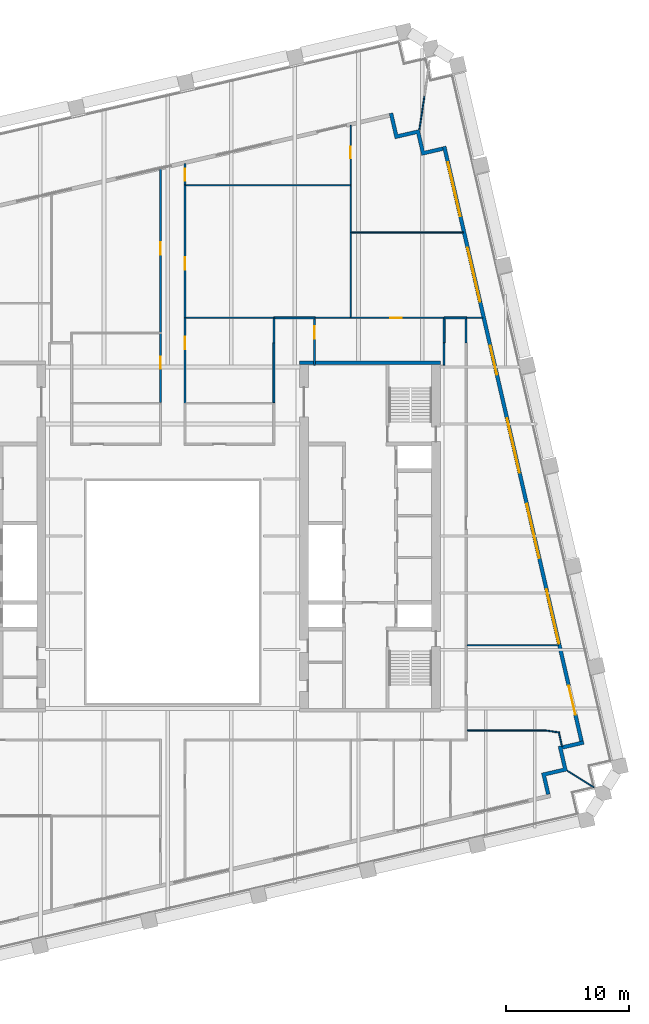
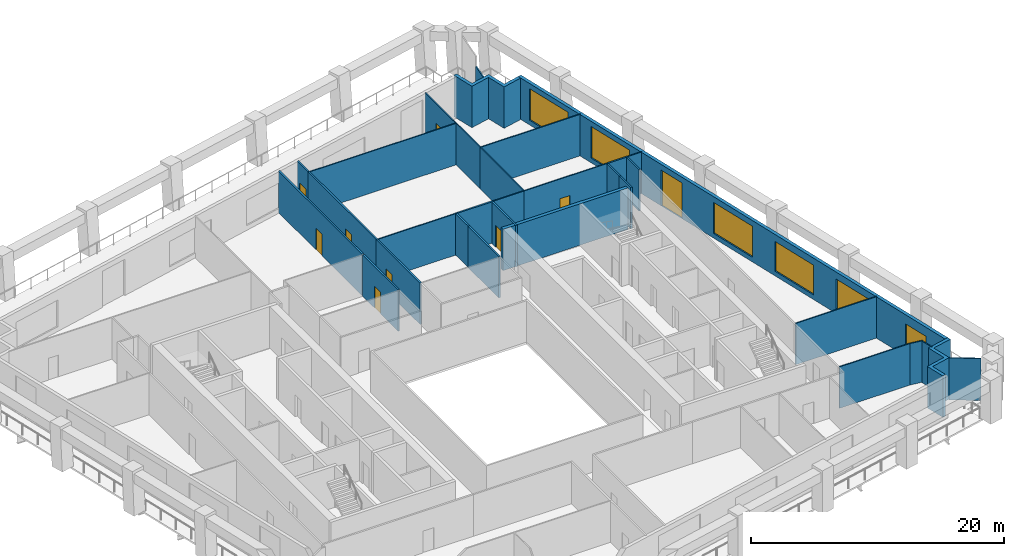
# One storey, part 8 of 11: 32 walls, 10 doors, 5 windows, 15 openings.
"""IFC4 building model written with IfcOpenShell, lengths in metres."""

from ifc_helpers import new_model, si_unit, direction, frame, frame_2d, origin, place, context, subcontext, project, spatial, polyline, rectangle, outline, extrude, material, layer, layer_set, type_object, element, fill, save


model = new_model("IFC4")

# Units and contexts
model_context = context("Model", 3, precision=1e-05, world=origin(), true_north=direction((0.0, 1.0)))
body_context = subcontext(model_context, "Body", "Model", "MODEL_VIEW")
ifc_project = project(units=[si_unit("LENGTHUNIT", "METRE"), si_unit("AREAUNIT", "SQUARE_METRE"), si_unit("VOLUMEUNIT", "CUBIC_METRE"), si_unit("PLANEANGLEUNIT", "RADIAN"), si_unit("MASSUNIT", "GRAM", prefix="KILO")], contexts=[model_context])

# Site, building, storey
site_placement = place(None, origin())
site = spatial("IfcSite", under=ifc_project, at=site_placement, CompositionType="ELEMENT")
building_placement = place(site_placement, origin())
building = spatial("IfcBuilding", under=site, at=building_placement, Name="Ogive Exchange Tower", CompositionType="ELEMENT")
storey_placement = place(building_placement, frame((0.0, 0.0, 209.39990234375)))
storey = spatial("IfcBuildingStorey", under=building, at=storey_placement, Name="L46", CompositionType="ELEMENT", Elevation=209.39990234375)

# Wall, opening, door
ifc_material_1 = material(Name="Fire partition EI 60 150")
ifc_layer_1 = layer(ifc_material_1, 0.14990234375)
ifc_layer_set_1 = layer_set([ifc_layer_1], Name="Fire partition EI 60 150")
wall_type_1 = type_object("IfcWallType", Name="Fire partition EI 60 150", PredefinedType="PARTITIONING", material=ifc_layer_set_1)
wall_1_placement = place(storey_placement, frame((-0.989990234375, 22.360107421875, 0.0), z_axis=(0.0, 0.0, 1.0), x_axis=(0.0, 1.0, 0.0)))
wall_1 = element("IfcWall", 1, at=wall_1_placement, inside=storey, type_object=wall_type_1, Name="L46-PWL-032", PredefinedType="PARTITIONING", context=body_context, shape_type="SweptSolid", body=[
    extrude(rectangle(XDim=5.58984375, YDim=0.14990234375, at=frame_2d((2.794921875, 0.0))), origin(), (0.0, 0.0, 1.0), 4.0),
])
opening_1_placement = place(wall_1_placement, frame((2.739990234375, 0.0, 0.0)))
opening_1 = element("IfcOpeningElement", 2, at=opening_1_placement, cuts=wall_1, Name="Opening L46-I03", PredefinedType="OPENING", context=body_context, shape_type="SweptSolid", body=[
    extrude(rectangle(XDim=1.0, YDim=2.10009765625, at=frame_2d((0.5, 1.050048828125))), frame((0.0, 0.0849609375, 0.0), z_axis=(0.0, -1.0, 0.0), x_axis=(1.0, 0.0, 0.0)), (0.0, 0.0, 1.0), 0.169921875),
])
ifc_material_2 = material(Name="Fire door FD 30S 1000 x 2100")
door_type_1 = type_object("IfcDoorType", Name="Fire door FD 30S 1000 x 2100", OperationType="NOTDEFINED", PredefinedType="DOOR", material=ifc_material_2)
door_1_placement = place(opening_1_placement, origin())
door_1 = element("IfcDoor", 3, at=door_1_placement, inside=storey, type_object=door_type_1, Name="L46-IDR-003", ObjectType="DT3", OperationType="SINGLE_SWING_LEFT", OverallHeight=2.10009765625, OverallWidth=1.0, PredefinedType="DOOR", context=body_context, shape_type="SweptSolid", body=[
    extrude(rectangle(XDim=1.0, YDim=2.10009765625, at=frame_2d((0.5, 1.050048828125))), frame((0.0, 0.02490234375, 0.0), z_axis=(0.0, -1.0, 0.0), x_axis=(1.0, 0.0, 0.0)), (0.0, 0.0, 1.0), 0.050048828125),
])
fill(opening_1, door_1)

wall_2_placement = place(storey_placement, frame((-0.989990234375, 28.050048828125, 0.0), z_axis=(0.0, 0.0, 1.0), x_axis=(0.0, 1.0, 0.0)))
wall_2 = element("IfcWall", 4, at=wall_2_placement, inside=storey, type_object=wall_type_1, Name="L46-PWL-033", PredefinedType="PARTITIONING", context=body_context, shape_type="SweptSolid", body=[
    extrude(rectangle(XDim=13.245849609375, YDim=0.14990234375, at=frame_2d((6.623046875, 0.0))), origin(), (0.0, 0.0, 1.0), 4.0),
])
opening_2_placement = place(wall_2_placement, frame((6.320068359375, 0.0, 0.0)))
opening_2 = element("IfcOpeningElement", 5, at=opening_2_placement, cuts=wall_2, Name="Opening L46-I04", PredefinedType="OPENING", context=body_context, shape_type="SweptSolid", body=[
    extrude(rectangle(XDim=1.0, YDim=2.10009765625, at=frame_2d((0.5, 1.050048828125))), frame((0.0, 0.0849609375, 0.0), z_axis=(0.0, -1.0, 0.0), x_axis=(1.0, 0.0, 0.0)), (0.0, 0.0, 1.0), 0.169921875),
])
door_2_placement = place(opening_2_placement, origin())
door_2 = element("IfcDoor", 6, at=door_2_placement, inside=storey, type_object=door_type_1, Name="L46-IDR-004", ObjectType="DT3", OperationType="SINGLE_SWING_RIGHT", OverallHeight=2.10009765625, OverallWidth=1.0, PredefinedType="DOOR", context=body_context, shape_type="SweptSolid", body=[
    extrude(rectangle(XDim=1.0, YDim=2.10009765625, at=frame_2d((0.5, 1.050048828125))), frame((0.0, 0.02490234375, 0.0), z_axis=(0.0, -1.0, 0.0), x_axis=(1.0, 0.0, 0.0)), (0.0, 0.0, 1.0), 0.050048828125),
])
fill(opening_2, door_2)

wall_3_placement = place(storey_placement, frame((0.989990234375, 29.239990234375, 0.0), z_axis=(0.0, 0.0, 1.0), x_axis=(0.0, -1.0, 0.0)))
wall_3 = element("IfcWall", 7, at=wall_3_placement, inside=storey, type_object=wall_type_1, Name="L46-PWL-038", PredefinedType="PARTITIONING", context=body_context, shape_type="SweptSolid", body=[
    extrude(rectangle(XDim=6.929931640625, YDim=0.14990234375, at=frame_2d((3.46484375, 0.0))), origin(), (0.0, 0.0, 1.0), 4.0),
])
opening_3_placement = place(wall_3_placement, frame((1.530029296875, 0.0, 0.0)))
opening_3 = element("IfcOpeningElement", 8, at=opening_3_placement, cuts=wall_3, Name="Opening L46-I19", PredefinedType="OPENING", context=body_context, shape_type="SweptSolid", body=[
    extrude(rectangle(XDim=1.0, YDim=2.10009765625, at=frame_2d((0.5, 1.050048828125))), frame((0.0, 0.0849609375, 0.0), z_axis=(0.0, -1.0, 0.0), x_axis=(1.0, 0.0, 0.0)), (0.0, 0.0, 1.0), 0.169921875),
])
door_3_placement = place(opening_3_placement, origin())
door_3 = element("IfcDoor", 9, at=door_3_placement, inside=storey, type_object=door_type_1, Name="L46-IDR-019", ObjectType="DT3", OperationType="SINGLE_SWING_RIGHT", OverallHeight=2.10009765625, OverallWidth=1.0, PredefinedType="DOOR", context=body_context, shape_type="SweptSolid", body=[
    extrude(rectangle(XDim=1.0, YDim=2.10009765625, at=frame_2d((0.5, 1.050048828125))), frame((0.0, 0.02490234375, 0.0), z_axis=(0.0, -1.0, 0.0), x_axis=(1.0, 0.0, 0.0)), (0.0, 0.0, 1.0), 0.050048828125),
])
fill(opening_3, door_3)

wall_4_placement = place(storey_placement, frame((0.989990234375, 40.050048828125, 0.0), z_axis=(0.0, 0.0, 1.0), x_axis=(0.0, -1.0, 0.0)))
wall_4 = element("IfcWall", 10, at=wall_4_placement, inside=storey, type_object=wall_type_1, Name="L46-PWL-040", PredefinedType="PARTITIONING", context=body_context, shape_type="SweptSolid", body=[
    extrude(rectangle(XDim=10.81005859375, YDim=0.14990234375, at=frame_2d((5.405029296875, 0.0))), origin(), (0.0, 0.0, 1.0), 4.0),
])
opening_4_placement = place(wall_4_placement, frame((5.909912109375, 0.0, 0.0)))
opening_4 = element("IfcOpeningElement", 11, at=opening_4_placement, cuts=wall_4, Name="Opening L46-I22", PredefinedType="OPENING", context=body_context, shape_type="SweptSolid", body=[
    extrude(rectangle(XDim=1.0, YDim=2.10009765625, at=frame_2d((0.5, 1.050048828125))), frame((0.0, 0.0849609375, 0.0), z_axis=(0.0, -1.0, 0.0), x_axis=(1.0, 0.0, 0.0)), (0.0, 0.0, 1.0), 0.169921875),
])
door_4_placement = place(opening_4_placement, origin())
door_4 = element("IfcDoor", 12, at=door_4_placement, inside=storey, type_object=door_type_1, Name="L46-IDR-022", ObjectType="DT3", OperationType="SINGLE_SWING_LEFT", OverallHeight=2.10009765625, OverallWidth=1.0, PredefinedType="DOOR", context=body_context, shape_type="SweptSolid", body=[
    extrude(rectangle(XDim=1.0, YDim=2.10009765625, at=frame_2d((0.5, 1.050048828125))), frame((0.0, 0.02490234375, 0.0), z_axis=(0.0, -1.0, 0.0), x_axis=(1.0, 0.0, 0.0)), (0.0, 0.0, 1.0), 0.050048828125),
])
fill(opening_4, door_4)

wall_5_placement = place(storey_placement, frame((0.989990234375, 41.7529296875, 0.0), z_axis=(0.0, 0.0, 1.0), x_axis=(0.0, -1.0, 0.0)))
wall_5 = element("IfcWall", 13, at=wall_5_placement, inside=storey, type_object=wall_type_1, Name="L46-PWL-041", PredefinedType="PARTITIONING", context=body_context, shape_type="SweptSolid", body=[
    extrude(rectangle(XDim=1.702880859375, YDim=0.14990234375, at=frame_2d((0.8515625, 0.0))), origin(), (0.0, 0.0, 1.0), 4.0),
])
opening_5_placement = place(wall_5_placement, frame((0.403076171875, 0.0, 0.0)))
opening_5 = element("IfcOpeningElement", 14, at=opening_5_placement, cuts=wall_5, Name="Opening L46-I21", PredefinedType="OPENING", context=body_context, shape_type="SweptSolid", body=[
    extrude(rectangle(XDim=1.0, YDim=2.10009765625, at=frame_2d((0.5, 1.050048828125))), frame((0.0, 0.0849609375, 0.0), z_axis=(0.0, -1.0, 0.0), x_axis=(1.0, 0.0, 0.0)), (0.0, 0.0, 1.0), 0.169921875),
])
door_5_placement = place(opening_5_placement, origin())
door_5 = element("IfcDoor", 15, at=door_5_placement, inside=storey, type_object=door_type_1, Name="L46-IDR-021", ObjectType="DT3", OperationType="SINGLE_SWING_LEFT", OverallHeight=2.10009765625, OverallWidth=1.0, PredefinedType="DOOR", context=body_context, shape_type="SweptSolid", body=[
    extrude(rectangle(XDim=1.0, YDim=2.10009765625, at=frame_2d((0.5, 1.050048828125))), frame((0.0, 0.02490234375, 0.0), z_axis=(0.0, -1.0, 0.0), x_axis=(1.0, 0.0, 0.0)), (0.0, 0.0, 1.0), 0.050048828125),
])
fill(opening_5, door_5)

# Walls
wall_6_placement = place(storey_placement, frame((8.199951171875, 22.360107421875, 0.0), z_axis=(0.0, 0.0, 1.0), x_axis=(0.0, 1.0, 0.0)))
element("IfcWall", 16, at=wall_6_placement, inside=storey, type_object=wall_type_1, Name="L46-PWL-043", PredefinedType="PARTITIONING", context=body_context, shape_type="SweptSolid", body=[
    extrude(rectangle(XDim=4.83984375, YDim=0.14990234375, at=frame_2d((2.419921875, 0.0))), origin(), (0.0, 0.0, 1.0), 4.0),
])
wall_7_placement = place(storey_placement, frame((8.2099609375, 27.199951171875, 0.0), z_axis=(0.0, 0.0, 1.0), x_axis=(0.0, 1.0, 0.0)))
element("IfcWall", 17, at=wall_7_placement, inside=storey, type_object=wall_type_1, Name="L46-PWL-044", PredefinedType="PARTITIONING", context=body_context, shape_type="SweptSolid", body=[
    extrude(rectangle(XDim=1.989990234375, YDim=0.14990234375, at=frame_2d((0.9951171875, 0.0))), origin(), (0.0, 0.0, 1.0), 4.0),
])
wall_8_placement = place(storey_placement, frame((8.2099609375, 29.239990234375, 0.0), z_axis=(0.0, 0.0, 1.0), x_axis=(1.0, 0.0, 0.0)))
element("IfcWall", 18, at=wall_8_placement, inside=storey, type_object=wall_type_1, Name="L46-PWL-045", PredefinedType="PARTITIONING", context=body_context, shape_type="SweptSolid", body=[
    extrude(rectangle(XDim=3.364990234375, YDim=0.14990234375, at=frame_2d((1.6826171875, 0.0))), origin(), (0.0, 0.0, 1.0), 4.0),
])

# Wall, opening, door
wall_9_placement = place(storey_placement, frame((11.5, 29.1650390625, 0.0), z_axis=(0.0, 0.0, 1.0), x_axis=(0.0, -1.0, 0.0)))
wall_9 = element("IfcWall", 19, at=wall_9_placement, inside=storey, type_object=wall_type_1, Name="L46-PWL-047", PredefinedType="PARTITIONING", context=body_context, shape_type="SweptSolid", body=[
    extrude(rectangle(XDim=3.76513671875, YDim=0.14990234375, at=frame_2d((1.882568359375, 0.0))), origin(), (0.0, 0.0, 1.0), 4.0),
])
opening_6_placement = place(wall_9_placement, frame((0.614990234375, 0.0, 0.0)))
opening_6 = element("IfcOpeningElement", 20, at=opening_6_placement, cuts=wall_9, Name="Opening L46-I20", PredefinedType="OPENING", context=body_context, shape_type="SweptSolid", body=[
    extrude(rectangle(XDim=1.0, YDim=2.10009765625, at=frame_2d((0.5, 1.050048828125))), frame((0.0, 0.0849609375, 0.0), z_axis=(0.0, -1.0, 0.0), x_axis=(1.0, 0.0, 0.0)), (0.0, 0.0, 1.0), 0.169921875),
])
door_6_placement = place(opening_6_placement, origin())
door_6 = element("IfcDoor", 21, at=door_6_placement, inside=storey, type_object=door_type_1, Name="L46-IDR-020", ObjectType="DT3", OperationType="SINGLE_SWING_RIGHT", OverallHeight=2.10009765625, OverallWidth=1.0, PredefinedType="DOOR", context=body_context, shape_type="SweptSolid", body=[
    extrude(rectangle(XDim=1.0, YDim=2.10009765625, at=frame_2d((0.5, 1.050048828125))), frame((0.0, 0.02490234375, 0.0), z_axis=(0.0, -1.0, 0.0), x_axis=(1.0, 0.0, 0.0)), (0.0, 0.0, 1.0), 0.050048828125),
])
fill(opening_6, door_6)

# Walls
wall_10_placement = place(storey_placement, frame((22.0, 25.39990234375, 0.0), z_axis=(0.0, 0.0, 1.0), x_axis=(0.0, 1.0, 0.0)))
element("IfcWall", 22, at=wall_10_placement, inside=storey, type_object=wall_type_1, Name="L46-PWL-059", PredefinedType="PARTITIONING", context=body_context, shape_type="SweptSolid", body=[
    extrude(rectangle(XDim=1.800048828125, YDim=0.14990234375, at=frame_2d((0.89990234375, 0.0))), origin(), (0.0, 0.0, 1.0), 4.0),
])
wall_11_placement = place(storey_placement, frame((22.010009765625, 27.199951171875, 0.0), z_axis=(0.0, 0.0, 1.0), x_axis=(0.0, 1.0, 0.0)))
element("IfcWall", 23, at=wall_11_placement, inside=storey, type_object=wall_type_1, Name="L46-PWL-060", PredefinedType="PARTITIONING", context=body_context, shape_type="SweptSolid", body=[
    extrude(rectangle(XDim=1.989990234375, YDim=0.14990234375, at=frame_2d((0.9951171875, 0.0))), origin(), (0.0, 0.0, 1.0), 4.0),
])
wall_12_placement = place(storey_placement, frame((22.010009765625, 29.239990234375, 0.0), z_axis=(0.0, 0.0, 1.0), x_axis=(1.0, 0.0, 0.0)))
element("IfcWall", 24, at=wall_12_placement, inside=storey, type_object=wall_type_1, Name="L46-PWL-061", PredefinedType="PARTITIONING", context=body_context, shape_type="SweptSolid", body=[
    extrude(rectangle(XDim=1.85498046875, YDim=0.14990234375, at=frame_2d((0.927490234375, 0.0))), origin(), (0.0, 0.0, 1.0), 4.0),
])
wall_13_placement = place(storey_placement, frame((23.7900390625, 29.1650390625, 0.0), z_axis=(0.0, 0.0, 1.0), x_axis=(0.0, -1.0, 0.0)))
element("IfcWall", 25, at=wall_13_placement, inside=storey, type_object=wall_type_1, Name="L46-PWL-064", PredefinedType="PARTITIONING", context=body_context, shape_type="SweptSolid", body=[
    extrude(rectangle(XDim=1.965087890625, YDim=0.14990234375, at=frame_2d((0.982421875, 0.0))), origin(), (0.0, 0.0, 1.0), 4.0),
])

# Wall, openings, doors, windows
ifc_material_3 = material(Name="Precast concrete C40/50", Category="concrete")
ifc_layer_2 = layer(ifc_material_3, 0.300048828125)
ifc_layer_set_2 = layer_set([ifc_layer_2], Name="Limestone-faced wall 300")
wall_type_2 = type_object("IfcWallType", Name="Limestone-faced wall 300", PredefinedType="STANDARD", material=ifc_layer_set_2)
wall_14_placement = place(storey_placement, frame((33.1572265625, -5.092041015625, 0.0), z_axis=(0.0, 0.0, 1.0), x_axis=(-0.224950279389, 0.974370243697, 0.0)))
wall_14 = element("IfcWall", 26, at=wall_14_placement, inside=storey, type_object=wall_type_2, Name="External wall E2", PredefinedType="STANDARD", context=body_context, shape_type="SweptSolid", body=[
    extrude(rectangle(XDim=49.499755859375, YDim=0.300048828125, at=frame_2d((24.75, 0.0))), origin(), (0.0, 0.0, 1.0), 4.0),
])
opening_7_placement = place(wall_14_placement, frame((2.20703125, 0.0, 0.0)))
opening_7 = element("IfcOpeningElement", 27, at=opening_7_placement, cuts=wall_14, Name="Opening D1J", PredefinedType="OPENING", context=body_context, shape_type="SweptSolid", body=[
    extrude(rectangle(XDim=2.39990234375, YDim=3.125, at=frame_2d((1.199951171875, 1.5625))), frame((0.0, 0.159912109375, 0.0), z_axis=(0.0, -1.0, 0.0), x_axis=(1.0, 0.0, 0.0)), (0.0, 0.0, 1.0), 0.320068359375),
])
opening_8_placement = place(wall_14_placement, frame((8.121337890625, 0.0, 0.449951171875)))
opening_8 = element("IfcOpeningElement", 28, at=opening_8_placement, cuts=wall_14, Name="Opening W1D", PredefinedType="OPENING", context=body_context, shape_type="SweptSolid", body=[
    extrude(rectangle(XDim=4.5, YDim=2.875, at=frame_2d((2.25, 1.4375))), frame((0.0, 0.159912109375, 0.0), z_axis=(0.0, -1.0, 0.0), x_axis=(1.0, 0.0, 0.0)), (0.0, 0.0, 1.0), 0.320068359375),
])
opening_9_placement = place(wall_14_placement, frame((15.235595703125, 0.0, 0.449951171875)))
opening_9 = element("IfcOpeningElement", 29, at=opening_9_placement, cuts=wall_14, Name="Opening W1D", PredefinedType="OPENING", context=body_context, shape_type="SweptSolid", body=[
    extrude(rectangle(XDim=4.5, YDim=2.875, at=frame_2d((2.25, 1.4375))), frame((0.0, 0.159912109375, 0.0), z_axis=(0.0, -1.0, 0.0), x_axis=(1.0, 0.0, 0.0)), (0.0, 0.0, 1.0), 0.320068359375),
])
opening_10_placement = place(wall_14_placement, frame((22.35009765625, 0.0, 0.449951171875)))
opening_10 = element("IfcOpeningElement", 30, at=opening_10_placement, cuts=wall_14, Name="Opening W1A", PredefinedType="OPENING", context=body_context, shape_type="SweptSolid", body=[
    extrude(rectangle(XDim=4.5, YDim=3.0, at=frame_2d((2.25, 1.5))), frame((0.0, 0.159912109375, 0.0), z_axis=(0.0, -1.0, 0.0), x_axis=(1.0, 0.0, 0.0)), (0.0, 0.0, 1.0), 0.320068359375),
])
opening_11_placement = place(wall_14_placement, frame((30.51416015625, 0.0, 0.0)))
opening_11 = element("IfcOpeningElement", 31, at=opening_11_placement, cuts=wall_14, Name="Opening D1A", PredefinedType="OPENING", context=body_context, shape_type="SweptSolid", body=[
    extrude(rectangle(XDim=2.39990234375, YDim=3.449951171875, at=frame_2d((1.199951171875, 1.72509765625))), frame((0.0, 0.159912109375, 0.0), z_axis=(0.0, -1.0, 0.0), x_axis=(1.0, 0.0, 0.0)), (0.0, 0.0, 1.0), 0.320068359375),
])
opening_12_placement = place(wall_14_placement, frame((36.57861328125, 0.0, 0.449951171875)))
opening_12 = element("IfcOpeningElement", 32, at=opening_12_placement, cuts=wall_14, Name="Opening W1", PredefinedType="OPENING", context=body_context, shape_type="SweptSolid", body=[
    extrude(rectangle(XDim=4.5, YDim=3.050048828125, at=frame_2d((2.25, 1.52490234375))), frame((0.0, 0.159912109375, 0.0), z_axis=(0.0, -1.0, 0.0), x_axis=(1.0, 0.0, 0.0)), (0.0, 0.0, 1.0), 0.320068359375),
])
opening_13_placement = place(wall_14_placement, frame((43.69287109375, 0.0, 0.449951171875)))
opening_13 = element("IfcOpeningElement", 33, at=opening_13_placement, cuts=wall_14, Name="Opening W1", PredefinedType="OPENING", context=body_context, shape_type="SweptSolid", body=[
    extrude(rectangle(XDim=4.5, YDim=3.050048828125, at=frame_2d((2.25, 1.52490234375))), frame((0.0, 0.159912109375, 0.0), z_axis=(0.0, -1.0, 0.0), x_axis=(1.0, 0.0, 0.0)), (0.0, 0.0, 1.0), 0.320068359375),
])
ifc_material_4 = material(Name="Clear glass in bronze frame", Category="glass")
door_type_2 = type_object("IfcDoorType", Name="Sliding loggia door 2400 x 3125", OperationType="DOUBLE_DOOR_SLIDING", PredefinedType="DOOR", material=ifc_material_4)
door_7_placement = place(opening_7_placement, origin())
door_7 = element("IfcDoor", 34, at=door_7_placement, inside=storey, type_object=door_type_2, Name="Loggia door E00", OperationType="DOUBLE_DOOR_SLIDING", OverallHeight=3.125, OverallWidth=2.39990234375, PredefinedType="DOOR", context=body_context, shape_type="SweptSolid", body=[
    extrude(rectangle(XDim=2.39990234375, YDim=3.125, at=frame_2d((1.199951171875, 1.5625))), frame((0.0, 0.02490234375, 0.0), z_axis=(0.0, -1.0, 0.0), x_axis=(1.0, 0.0, 0.0)), (0.0, 0.0, 1.0), 0.050048828125),
])
fill(opening_7, door_7)
door_type_3 = type_object("IfcDoorType", Name="Sliding loggia door 2400 x 3450", OperationType="DOUBLE_DOOR_SLIDING", PredefinedType="DOOR", material=ifc_material_4)
door_8_placement = place(opening_11_placement, origin())
door_8 = element("IfcDoor", 35, at=door_8_placement, inside=storey, type_object=door_type_3, Name="Loggia door E04", OperationType="DOUBLE_DOOR_SLIDING", OverallHeight=3.449951171875, OverallWidth=2.39990234375, PredefinedType="DOOR", context=body_context, shape_type="SweptSolid", body=[
    extrude(rectangle(XDim=2.39990234375, YDim=3.449951171875, at=frame_2d((1.199951171875, 1.72509765625))), frame((0.0, 0.02490234375, 0.0), z_axis=(0.0, -1.0, 0.0), x_axis=(1.0, 0.0, 0.0)), (0.0, 0.0, 1.0), 0.050048828125),
])
fill(opening_11, door_8)
window_type_1 = type_object("IfcWindowType", Name="Twin lancet window 4500 x 2875", PartitioningType="DOUBLE_PANEL_VERTICAL", PredefinedType="WINDOW", material=ifc_material_4)
window_1_placement = place(opening_8_placement, origin())
window_1 = element("IfcWindow", 36, at=window_1_placement, inside=storey, type_object=window_type_1, Name="Window E01", OverallHeight=2.875, OverallWidth=4.5, PartitioningType="DOUBLE_PANEL_VERTICAL", PredefinedType="WINDOW", context=body_context, shape_type="SweptSolid", body=[
    extrude(rectangle(XDim=4.5, YDim=2.875, at=frame_2d((2.25, 1.4375))), frame((0.0, 0.030029296875, 0.0), z_axis=(0.0, -1.0, 0.0), x_axis=(1.0, 0.0, 0.0)), (0.0, 0.0, 1.0), 0.06005859375),
])
fill(opening_8, window_1)
window_2_placement = place(opening_9_placement, origin())
window_2 = element("IfcWindow", 37, at=window_2_placement, inside=storey, type_object=window_type_1, Name="Window E02", OverallHeight=2.875, OverallWidth=4.5, PartitioningType="DOUBLE_PANEL_VERTICAL", PredefinedType="WINDOW", context=body_context, shape_type="SweptSolid", body=[
    extrude(rectangle(XDim=4.5, YDim=2.875, at=frame_2d((2.25, 1.4375))), frame((0.0, 0.030029296875, 0.0), z_axis=(0.0, -1.0, 0.0), x_axis=(1.0, 0.0, 0.0)), (0.0, 0.0, 1.0), 0.06005859375),
])
fill(opening_9, window_2)
window_type_2 = type_object("IfcWindowType", Name="Twin lancet window 4500 x 3000", PartitioningType="DOUBLE_PANEL_VERTICAL", PredefinedType="WINDOW", material=ifc_material_4)
window_3_placement = place(opening_10_placement, origin())
window_3 = element("IfcWindow", 38, at=window_3_placement, inside=storey, type_object=window_type_2, Name="Window E03", OverallHeight=3.0, OverallWidth=4.5, PartitioningType="DOUBLE_PANEL_VERTICAL", PredefinedType="WINDOW", context=body_context, shape_type="SweptSolid", body=[
    extrude(rectangle(XDim=4.5, YDim=3.0, at=frame_2d((2.25, 1.5))), frame((0.0, 0.030029296875, 0.0), z_axis=(0.0, -1.0, 0.0), x_axis=(1.0, 0.0, 0.0)), (0.0, 0.0, 1.0), 0.06005859375),
])
fill(opening_10, window_3)
window_type_3 = type_object("IfcWindowType", Name="Twin lancet window 4500 x 3050", PartitioningType="DOUBLE_PANEL_VERTICAL", PredefinedType="WINDOW", material=ifc_material_4)
window_4_placement = place(opening_12_placement, origin())
window_4 = element("IfcWindow", 39, at=window_4_placement, inside=storey, type_object=window_type_3, Name="Window E05", OverallHeight=3.050048828125, OverallWidth=4.5, PartitioningType="DOUBLE_PANEL_VERTICAL", PredefinedType="WINDOW", context=body_context, shape_type="SweptSolid", body=[
    extrude(rectangle(XDim=4.5, YDim=3.050048828125, at=frame_2d((2.25, 1.52490234375))), frame((0.0, 0.030029296875, 0.0), z_axis=(0.0, -1.0, 0.0), x_axis=(1.0, 0.0, 0.0)), (0.0, 0.0, 1.0), 0.06005859375),
])
fill(opening_12, window_4)
window_5_placement = place(opening_13_placement, origin())
window_5 = element("IfcWindow", 40, at=window_5_placement, inside=storey, type_object=window_type_3, Name="Window E06", OverallHeight=3.050048828125, OverallWidth=4.5, PartitioningType="DOUBLE_PANEL_VERTICAL", PredefinedType="WINDOW", context=body_context, shape_type="SweptSolid", body=[
    extrude(rectangle(XDim=4.5, YDim=3.050048828125, at=frame_2d((2.25, 1.52490234375))), frame((0.0, 0.030029296875, 0.0), z_axis=(0.0, -1.0, 0.0), x_axis=(1.0, 0.0, 0.0)), (0.0, 0.0, 1.0), 0.06005859375),
])
fill(opening_13, window_5)

# Walls
wall_15_placement = place(storey_placement, origin())
element("IfcWall", 41, at=wall_15_placement, inside=storey, type_object=wall_type_2, Name="External corner wall C1", PredefinedType="STANDARD", context=body_context, shape_type="SweptSolid", body=[
    extrude(outline(polyline([(31.662109375, -7.28466796875), (31.257080078125, -5.53076171875), (33.30322265625, -5.058349609375), (33.370849609375, -5.3505859375), (31.616943359375, -5.755615234375), (32.02197265625, -7.509521484375), (30.26806640625, -7.914306640625), (30.60546875, -9.3759765625), (30.31298828125, -9.443359375), (29.908203125, -7.689697265625), (31.662109375, -7.28466796875)])), origin(), (0.0, 0.0, 1.0), 4.0),
])
wall_16_placement = place(storey_placement, origin())
element("IfcWall", 42, at=wall_16_placement, inside=storey, type_object=wall_type_2, Name="External corner wall C2", PredefinedType="STANDARD", context=body_context, shape_type="SweptSolid", body=[
    extrude(outline(polyline([(19.78466796875, 44.162109375), (18.03076171875, 43.757080078125), (17.558349609375, 45.80322265625), (17.8505859375, 45.870849609375), (18.255615234375, 44.116943359375), (20.009521484375, 44.52197265625), (20.414306640625, 42.76806640625), (21.8759765625, 43.10546875), (21.943359375, 42.81298828125), (20.189697265625, 42.408203125), (19.78466796875, 44.162109375)])), origin(), (0.0, 0.0, 1.0), 4.0),
])
ifc_material_5 = material(Name="Laminated safety glass in steel frame", Category="steel")
ifc_layer_3 = layer(ifc_material_5, 0.10009765625)
ifc_layer_set_3 = layer_set([ifc_layer_3], Name="Loggia end screen 100")
wall_type_3 = type_object("IfcWallType", Name="Loggia end screen 100", PredefinedType="STANDARD", material=ifc_layer_set_3)
wall_17_placement = place(storey_placement, frame((32.02197265625, -7.509521484375, -0.0498046875), z_axis=(0.0, 0.0, 1.0), x_axis=(0.848047176257, -0.529920736377, 0.0)))
element("IfcWall", 43, at=wall_17_placement, inside=storey, type_object=wall_type_3, Name="Loggia end screen C1", PredefinedType="STANDARD", context=body_context, shape_type="SweptSolid", body=[
    extrude(rectangle(XDim=2.525634765625, YDim=0.10009765625, at=frame_2d((1.2626953125, 0.0))), origin(), (0.0, 0.0, 1.0), 4.0498046875),
])
wall_18_placement = place(storey_placement, frame((20.009521484375, 44.52197265625, -0.0498046875), z_axis=(0.0, 0.0, 1.0), x_axis=(0.148468674811, 0.988917111087, 0.0)))
element("IfcWall", 44, at=wall_18_placement, inside=storey, type_object=wall_type_3, Name="Loggia end screen C2", PredefinedType="STANDARD", context=body_context, shape_type="SweptSolid", body=[
    extrude(rectangle(XDim=2.7001953125, YDim=0.10009765625, at=frame_2d((1.35009765625, 0.0))), origin(), (0.0, 0.0, 1.0), 3.06982421875),
])
ifc_material_6 = material(Name="Partition 100 gypsum")
ifc_layer_4 = layer(ifc_material_6, 0.10009765625)
ifc_layer_set_4 = layer_set([ifc_layer_4], Name="Partition 100 gypsum")
wall_type_4 = type_object("IfcWallType", Name="Partition 100 gypsum", PredefinedType="PARTITIONING", material=ifc_layer_set_4)
wall_19_placement = place(storey_placement, frame((1.06494140625, 29.239990234375, 0.0), z_axis=(0.0, 0.0, 1.0), x_axis=(1.0, 0.0, 0.0)))
element("IfcWall", 45, at=wall_19_placement, inside=storey, type_object=wall_type_4, Name="L46-PWL-039", PredefinedType="PARTITIONING", context=body_context, shape_type="SweptSolid", body=[
    extrude(rectangle(XDim=7.14501953125, YDim=0.10009765625, at=frame_2d((3.572509765625, 0.0))), origin(), (0.0, 0.0, 1.0), 4.0),
])
wall_20_placement = place(storey_placement, frame((11.574951171875, 29.239990234375, 0.0), z_axis=(0.0, 0.0, 1.0), x_axis=(1.0, 0.0, 0.0)))
element("IfcWall", 46, at=wall_20_placement, inside=storey, type_object=wall_type_4, Name="L46-PWL-048", PredefinedType="PARTITIONING", context=body_context, shape_type="SweptSolid", body=[
    extrude(rectangle(XDim=2.804931640625, YDim=0.10009765625, at=frame_2d((1.40234375, 0.0))), origin(), (0.0, 0.0, 1.0), 4.0),
])

# Wall, opening, door
wall_21_placement = place(storey_placement, frame((14.3798828125, 29.239990234375, 0.0), z_axis=(0.0, 0.0, 1.0), x_axis=(1.0, 0.0, 0.0)))
wall_21 = element("IfcWall", 47, at=wall_21_placement, inside=storey, type_object=wall_type_4, Name="L46-PWL-051", PredefinedType="PARTITIONING", context=body_context, shape_type="SweptSolid", body=[
    extrude(rectangle(XDim=7.630126953125, YDim=0.10009765625, at=frame_2d((3.81494140625, 0.0))), origin(), (0.0, 0.0, 1.0), 4.0),
])
opening_14_placement = place(wall_21_placement, frame((3.280029296875, 0.0, 0.0)))
opening_14 = element("IfcOpeningElement", 48, at=opening_14_placement, cuts=wall_21, Name="Opening L46-I23", PredefinedType="OPENING", context=body_context, shape_type="SweptSolid", body=[
    extrude(rectangle(XDim=0.89990234375, YDim=2.10009765625, at=frame_2d((0.449951171875, 1.050048828125))), frame((0.0, 0.06005859375, 0.0), z_axis=(0.0, -1.0, 0.0), x_axis=(1.0, 0.0, 0.0)), (0.0, 0.0, 1.0), 0.1201171875),
])
ifc_material_7 = material(Name="Door 900 x 2100")
door_type_4 = type_object("IfcDoorType", Name="Door 900 x 2100", OperationType="NOTDEFINED", PredefinedType="DOOR", material=ifc_material_7)
door_9_placement = place(opening_14_placement, frame((0.89990234375, 0.0, 0.0), z_axis=(0.0, 0.0, 1.0), x_axis=(-1.0, 0.0, 0.0)))
door_9 = element("IfcDoor", 49, at=door_9_placement, inside=storey, type_object=door_type_4, Name="L46-IDR-023", ObjectType="DT1", OperationType="SINGLE_SWING_RIGHT", OverallHeight=2.10009765625, OverallWidth=0.89990234375, PredefinedType="DOOR", context=body_context, shape_type="SweptSolid", body=[
    extrude(rectangle(XDim=0.89990234375, YDim=2.10009765625, at=frame_2d((0.449951171875, 1.050048828125))), frame((0.0, 0.02490234375, 0.0), z_axis=(0.0, -1.0, 0.0), x_axis=(1.0, 0.0, 0.0)), (0.0, 0.0, 1.0), 0.050048828125),
])
fill(opening_14, door_9)

# Walls
wall_22_placement = place(storey_placement, frame((14.429931640625, 36.219970703125, 0.0), z_axis=(0.0, 0.0, 1.0), x_axis=(0.0, -1.0, 0.0)))
element("IfcWall", 50, at=wall_22_placement, inside=storey, type_object=wall_type_4, Name="L46-PWL-052", PredefinedType="PARTITIONING", context=body_context, shape_type="SweptSolid", body=[
    extrude(rectangle(XDim=6.929931640625, YDim=0.10009765625, at=frame_2d((3.46484375, 0.0))), origin(), (0.0, 0.0, 1.0), 4.0),
])
wall_23_placement = place(storey_placement, frame((14.47998046875, 36.169921875, 0.0), z_axis=(0.0, 0.0, 1.0), x_axis=(1.0, 0.0, 0.0)))
element("IfcWall", 51, at=wall_23_placement, inside=storey, type_object=wall_type_4, Name="L46-PWL-053", PredefinedType="PARTITIONING", context=body_context, shape_type="SweptSolid", body=[
    extrude(rectangle(XDim=9.080078125, YDim=0.10009765625, at=frame_2d((4.5400390625, 0.0))), origin(), (0.0, 0.0, 1.0), 4.0),
])
wall_24_placement = place(storey_placement, frame((14.47998046875, 40.0, 0.0), z_axis=(0.0, 0.0, 1.0), x_axis=(-1.0, 0.0, 0.0)))
element("IfcWall", 52, at=wall_24_placement, inside=storey, type_object=wall_type_4, Name="L46-PWL-054", PredefinedType="PARTITIONING", context=body_context, shape_type="SweptSolid", body=[
    extrude(rectangle(XDim=13.4150390625, YDim=0.10009765625, at=frame_2d((6.70751953125, 0.0))), origin(), (0.0, 0.0, 1.0), 4.0),
])
wall_25_placement = place(storey_placement, frame((14.429931640625, 39.949951171875, 0.0), z_axis=(0.0, 0.0, 1.0), x_axis=(0.0, -1.0, 0.0)))
element("IfcWall", 53, at=wall_25_placement, inside=storey, type_object=wall_type_4, Name="L46-PWL-055", PredefinedType="PARTITIONING", context=body_context, shape_type="SweptSolid", body=[
    extrude(rectangle(XDim=3.780029296875, YDim=0.10009765625, at=frame_2d((1.89013671875, 0.0))), origin(), (0.0, 0.0, 1.0), 4.0),
])

# Wall, opening, door
wall_26_placement = place(storey_placement, frame((14.429931640625, 44.85595703125, 0.0), z_axis=(0.0, 0.0, 1.0), x_axis=(0.0, -1.0, 0.0)))
wall_26 = element("IfcWall", 54, at=wall_26_placement, inside=storey, type_object=wall_type_4, Name="L46-PWL-056", PredefinedType="PARTITIONING", context=body_context, shape_type="SweptSolid", body=[
    extrude(rectangle(XDim=4.805908203125, YDim=0.10009765625, at=frame_2d((2.40283203125, 0.0))), origin(), (0.0, 0.0, 1.0), 4.0),
])
opening_15_placement = place(wall_26_placement, frame((1.756103515625, 0.0, 0.0)))
opening_15 = element("IfcOpeningElement", 55, at=opening_15_placement, cuts=wall_26, Name="Opening L46-I24", PredefinedType="OPENING", context=body_context, shape_type="SweptSolid", body=[
    extrude(rectangle(XDim=0.89990234375, YDim=2.10009765625, at=frame_2d((0.449951171875, 1.050048828125))), frame((0.0, 0.06005859375, 0.0), z_axis=(0.0, -1.0, 0.0), x_axis=(1.0, 0.0, 0.0)), (0.0, 0.0, 1.0), 0.1201171875),
])
door_10_placement = place(opening_15_placement, frame((0.89990234375, 0.0, 0.0), z_axis=(0.0, 0.0, 1.0), x_axis=(-1.0, 0.0, 0.0)))
door_10 = element("IfcDoor", 56, at=door_10_placement, inside=storey, type_object=door_type_4, Name="L46-IDR-024", ObjectType="DT1", OperationType="SINGLE_SWING_LEFT", OverallHeight=2.10009765625, OverallWidth=0.89990234375, PredefinedType="DOOR", context=body_context, shape_type="SweptSolid", body=[
    extrude(rectangle(XDim=0.89990234375, YDim=2.10009765625, at=frame_2d((0.449951171875, 1.050048828125))), frame((0.0, 0.02490234375, 0.0), z_axis=(0.0, -1.0, 0.0), x_axis=(1.0, 0.0, 0.0)), (0.0, 0.0, 1.0), 0.050048828125),
])
fill(opening_15, door_10)

# Walls
wall_27_placement = place(storey_placement, frame((23.864990234375, 29.239990234375, 0.0), z_axis=(0.0, 0.0, 1.0), x_axis=(1.0, 0.0, 0.0)))
element("IfcWall", 57, at=wall_27_placement, inside=storey, type_object=wall_type_4, Name="L46-PWL-065", PredefinedType="PARTITIONING", context=body_context, shape_type="SweptSolid", body=[
    extrude(rectangle(XDim=1.294921875, YDim=0.10009765625, at=frame_2d((0.6474609375, 0.0))), origin(), (0.0, 0.0, 1.0), 4.0),
])
wall_28_placement = place(storey_placement, frame((30.300048828125, -4.239990234375, 0.0), z_axis=(0.0, 0.0, 1.0), x_axis=(-1.0, 0.0, 0.0)))
element("IfcWall", 58, at=wall_28_placement, inside=storey, type_object=wall_type_4, Name="L46-PWL-070", PredefinedType="PARTITIONING", context=body_context, shape_type="SweptSolid", body=[
    extrude(rectangle(XDim=6.425048828125, YDim=0.10009765625, at=frame_2d((3.21240234375, 0.0))), origin(), (0.0, 0.0, 1.0), 4.0),
])
wall_29_placement = place(storey_placement, frame((31.368896484375, -4.39697265625, 0.0), z_axis=(0.0, 0.0, 1.0), x_axis=(-0.989385908309, 0.145311817963, 0.0)))
element("IfcWall", 59, at=wall_29_placement, inside=storey, type_object=wall_type_4, Name="L46-PWL-071", PredefinedType="PARTITIONING", context=body_context, shape_type="SweptSolid", body=[
    extrude(rectangle(XDim=1.080322265625, YDim=0.10009765625, at=frame_2d((0.5400390625, 0.0))), origin(), (0.0, 0.0, 1.0), 4.0),
])
wall_30_placement = place(storey_placement, frame((31.2890625, 2.68994140625, 0.0), z_axis=(0.0, 0.0, 1.0), x_axis=(-1.0, 0.0, 0.0)))
element("IfcWall", 60, at=wall_30_placement, inside=storey, type_object=wall_type_4, Name="L46-PWL-072", PredefinedType="PARTITIONING", context=body_context, shape_type="SweptSolid", body=[
    extrude(rectangle(XDim=7.4140625, YDim=0.10009765625, at=frame_2d((3.70703125, 0.0))), origin(), (0.0, 0.0, 1.0), 4.0),
])
wall_31_placement = place(storey_placement, frame((31.583984375, -5.55810546875, 0.0), z_axis=(0.0, 0.0, 1.0), x_axis=(-0.220443734992, 0.975399692281, 0.0)))
element("IfcWall", 61, at=wall_31_placement, inside=storey, type_object=wall_type_4, Name="L46-PWL-073", PredefinedType="PARTITIONING", context=body_context, shape_type="SweptSolid", body=[
    extrude(rectangle(XDim=1.1474609375, YDim=0.10009765625, at=frame_2d((0.57373046875, 0.0))), origin(), (0.0, 0.0, 1.0), 4.0),
])
ifc_material_8 = material(Name="Concrete C70/85", Category="concrete")
ifc_layer_5 = layer(ifc_material_8, 0.300048828125)
ifc_layer_set_5 = layer_set([ifc_layer_5], Name="RC core wall 300 C70/85")
wall_type_5 = type_object("IfcWallType", Name="RC core wall 300 C70/85", PredefinedType="SHEAR", material=ifc_layer_set_5)
wall_32_placement = place(storey_placement, frame((10.300048828125, 25.60009765625, 0.0), z_axis=(0.0, 0.0, 1.0), x_axis=(1.0, 0.0, 0.0)))
element("IfcWall", 62, at=wall_32_placement, inside=storey, type_object=wall_type_5, Name="E north end wall", PredefinedType="SHEAR", context=body_context, shape_type="SweptSolid", body=[
    extrude(rectangle(XDim=11.39990234375, YDim=0.300048828125, at=frame_2d((5.699951171875, 0.0))), origin(), (0.0, 0.0, 1.0), 4.0),
])

save(model, "model.ifc")
